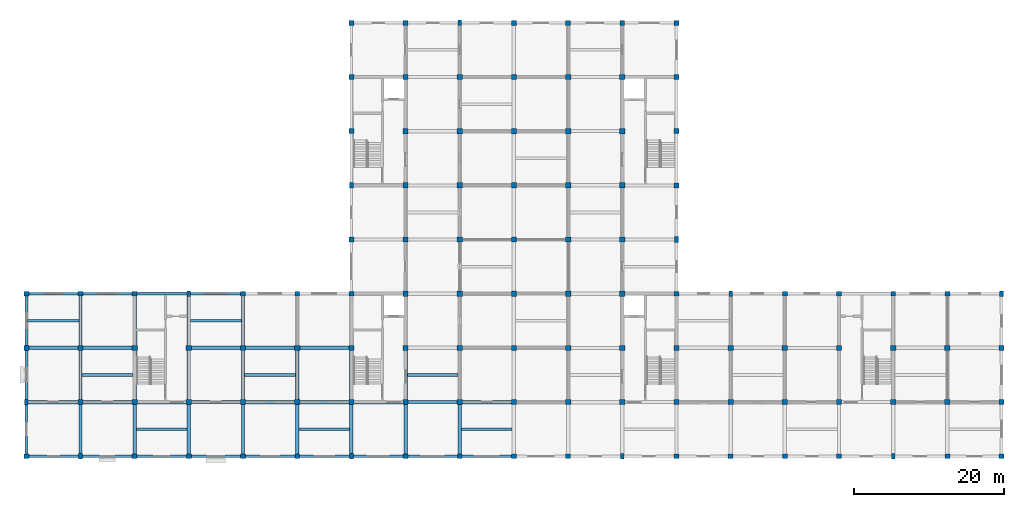
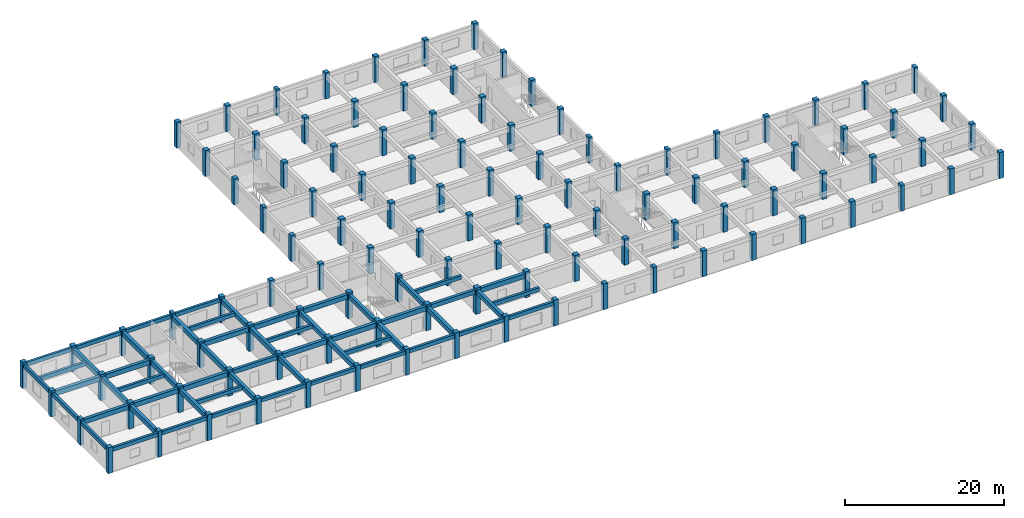
# One storey, part 1 of 11: 111 columns, 57 beams.
"""IFC4 building model written with IfcOpenShell, lengths in metres."""

from ifc_helpers import new_model, si_unit, direction, frame, origin, origin_2d, place, context, subcontext, project, spatial, rectangle, extrude, material, material_profile, profile_set, type_object, element, save


model = new_model("IFC4")

# Units and contexts
model_context = context("Model", 3, precision=1e-05, world=origin(), true_north=direction((0.0, 1.0)))
body_context = subcontext(model_context, "Body", "Model", "MODEL_VIEW")
ifc_project = project(units=[si_unit("LENGTHUNIT", "METRE"), si_unit("AREAUNIT", "SQUARE_METRE"), si_unit("VOLUMEUNIT", "CUBIC_METRE"), si_unit("PLANEANGLEUNIT", "RADIAN"), si_unit("MASSUNIT", "GRAM", prefix="KILO")], contexts=[model_context])

# Site, building, storey
site_placement = place(None, origin())
site = spatial("IfcSite", under=ifc_project, at=site_placement, CompositionType="ELEMENT")
building_placement = place(site_placement, origin())
building = spatial("IfcBuilding", under=site, at=building_placement, Name="Cendaluz Park School", CompositionType="ELEMENT")
storey_placement = place(building_placement, frame((0.0, 0.0, 26.60009765625)))
storey = spatial("IfcBuildingStorey", under=building, at=storey_placement, Name="L06", CompositionType="ELEMENT", Elevation=26.60009765625)

# Columns
ifc_material = material(Name="Concrete C40/50", Category="concrete")
ifc_material_profile_1 = material_profile(ifc_material, rectangle(XDim=0.5, YDim=0.75, at=origin_2d()), Name="RC 500x750", Category="concrete")
ifc_profile_set_1 = profile_set([ifc_material_profile_1], Name="Concrete C40/50")
column_type_1 = type_object("IfcColumnType", Name="C-PL01", PredefinedType="PILASTER", material=ifc_profile_set_1)
for number, where, z_axis, x_axis, name in (
    (1, (21.60009765625, 14.39990234375, 0.0), (0.0, 0.0, 1.0), (1.0, 0.0, 0.0), "C-L06-CPL01-002"),
    (2, (28.800048828125, 7.199951171875, 0.0), (0.0, 0.0, 1.0), (1.0, 0.0, 0.0), "C-L06-CPL01-005"),
    (3, (43.199951171875, 28.800048828125, 0.0), (0.0, 0.0, 1.0), (1.0, 0.0, 0.0), "C-L06-CPL01-016"),
    (4, (64.800048828125, 7.199951171875, 0.0), (0.0, 0.0, 1.0), (1.0, 0.0, 0.0), "C-L06-CPL01-025"),
    (5, (64.800048828125, 43.199951171875, 0.0), (0.0, 0.0, 1.0), (1.0, 0.0, 0.0), "C-L06-CPL01-030"),
    (6, (79.199951171875, 64.800048828125, 0.0), (0.0, 0.0, 1.0), (1.0, 0.0, 0.0), "C-L06-CPL01-051"),
    (7, (100.800048828125, 7.199951171875, 0.0), (0.0, 0.0, 1.0), (1.0, 0.0, 0.0), "C-L06-CPL01-070"),
    (8, (108.0, 36.0, 0.0), (0.0, 0.0, 1.0), (1.0, 0.0, 0.0), "C-L06-CPL01-083"),
    (9, (115.199951171875, 28.800048828125, 0.0), (0.0, 0.0, 1.0), (1.0, 0.0, 0.0), "C-L06-CPL01-091"),
    (10, (136.800048828125, 7.199951171875, 0.0), (0.0, 0.0, 1.0), (1.0, 0.0, 0.0), "C-L06-CPL01-100"),
    (11, (151.199951171875, 28.800048828125, 0.0), (0.0, 0.0, 1.0), (1.0, 0.0, 0.0), "C-L06-CPL01-111"),
):
    element("IfcColumn", number, at=place(storey_placement, frame(where, z_axis=z_axis, x_axis=x_axis)), inside=storey, type_object=column_type_1, Name=name, PredefinedType="PILASTER", context=body_context, shape_type="SweptSolid", body=[
        extrude(rectangle(XDim=0.5, YDim=0.75, at=origin_2d()), origin(), (0.0, 0.0, 1.0), 4.0),
    ])
ifc_material_profile_2 = material_profile(ifc_material, rectangle(XDim=0.699951171875, YDim=0.699951171875, at=origin_2d()), Name="RC 700x700", Category="concrete")
ifc_profile_set_2 = profile_set([ifc_material_profile_2], Name="Concrete C40/50")
column_type_2 = type_object("IfcColumnType", Name="C-RC04", PredefinedType="COLUMN", material=ifc_profile_set_2)
for number, where, z_axis, x_axis, name in (
    (12, (28.800048828125, 14.39990234375, 0.0), (0.0, 0.0, 1.0), (1.0, 0.0, 0.0), "C-L06-CRC04-006"),
    (13, (28.800048828125, 21.60009765625, 0.0), (0.0, 0.0, 1.0), (1.0, 0.0, 0.0), "C-L06-CRC04-007"),
    (14, (36.0, 14.39990234375, 0.0), (0.0, 0.0, 1.0), (1.0, 0.0, 0.0), "C-L06-CRC04-010"),
    (15, (36.0, 21.60009765625, 0.0), (0.0, 0.0, 1.0), (1.0, 0.0, 0.0), "C-L06-CRC04-011"),
    (16, (43.199951171875, 14.39990234375, 0.0), (0.0, 0.0, 1.0), (1.0, 0.0, 0.0), "C-L06-CRC04-014"),
    (17, (43.199951171875, 21.60009765625, 0.0), (0.0, 0.0, 1.0), (1.0, 0.0, 0.0), "C-L06-CRC04-015"),
    (18, (50.39990234375, 14.39990234375, 0.0), (0.0, 0.0, 1.0), (1.0, 0.0, 0.0), "C-L06-CRC04-018"),
    (19, (50.39990234375, 21.60009765625, 0.0), (0.0, 0.0, 1.0), (1.0, 0.0, 0.0), "C-L06-CRC04-019"),
    (20, (57.60009765625, 14.39990234375, 0.0), (0.0, 0.0, 1.0), (1.0, 0.0, 0.0), "C-L06-CRC04-022"),
    (21, (57.60009765625, 21.60009765625, 0.0), (0.0, 0.0, 1.0), (1.0, 0.0, 0.0), "C-L06-CRC04-023"),
    (22, (64.800048828125, 14.39990234375, 0.0), (0.0, 0.0, 1.0), (1.0, 0.0, 0.0), "C-L06-CRC04-026"),
    (23, (64.800048828125, 21.60009765625, 0.0), (0.0, 0.0, 1.0), (1.0, 0.0, 0.0), "C-L06-CRC04-027"),
    (24, (72.0, 14.39990234375, 0.0), (0.0, 0.0, 1.0), (1.0, 0.0, 0.0), "C-L06-CRC04-035"),
    (25, (72.0, 21.60009765625, 0.0), (0.0, 0.0, 1.0), (1.0, 0.0, 0.0), "C-L06-CRC04-036"),
    (26, (72.0, 28.800048828125, 0.0), (0.0, 0.0, 1.0), (1.0, 0.0, 0.0), "C-L06-CRC04-037"),
    (27, (72.0, 36.0, 0.0), (0.0, 0.0, 1.0), (1.0, 0.0, 0.0), "C-L06-CRC04-038"),
    (28, (72.0, 43.199951171875, 0.0), (0.0, 0.0, 1.0), (1.0, 0.0, 0.0), "C-L06-CRC04-039"),
    (29, (72.0, 50.39990234375, 0.0), (0.0, 0.0, 1.0), (1.0, 0.0, 0.0), "C-L06-CRC04-040"),
    (30, (72.0, 57.60009765625, 0.0), (0.0, 0.0, 1.0), (1.0, 0.0, 0.0), "C-L06-CRC04-041"),
    (31, (79.199951171875, 14.39990234375, 0.0), (0.0, 0.0, 1.0), (1.0, 0.0, 0.0), "C-L06-CRC04-044"),
    (32, (79.199951171875, 21.60009765625, 0.0), (0.0, 0.0, 1.0), (1.0, 0.0, 0.0), "C-L06-CRC04-045"),
    (33, (79.199951171875, 28.800048828125, 0.0), (0.0, 0.0, 1.0), (1.0, 0.0, 0.0), "C-L06-CRC04-046"),
    (34, (79.199951171875, 36.0, 0.0), (0.0, 0.0, 1.0), (1.0, 0.0, 0.0), "C-L06-CRC04-047"),
    (35, (79.199951171875, 43.199951171875, 0.0), (0.0, 0.0, 1.0), (1.0, 0.0, 0.0), "C-L06-CRC04-048"),
    (36, (79.199951171875, 50.39990234375, 0.0), (0.0, 0.0, 1.0), (1.0, 0.0, 0.0), "C-L06-CRC04-049"),
    (37, (79.199951171875, 57.60009765625, 0.0), (0.0, 0.0, 1.0), (1.0, 0.0, 0.0), "C-L06-CRC04-050"),
    (38, (86.39990234375, 14.39990234375, 0.0), (0.0, 0.0, 1.0), (1.0, 0.0, 0.0), "C-L06-CRC04-053"),
    (39, (86.39990234375, 21.60009765625, 0.0), (0.0, 0.0, 1.0), (1.0, 0.0, 0.0), "C-L06-CRC04-054"),
    (40, (86.39990234375, 28.800048828125, 0.0), (0.0, 0.0, 1.0), (1.0, 0.0, 0.0), "C-L06-CRC04-055"),
    (41, (86.39990234375, 36.0, 0.0), (0.0, 0.0, 1.0), (1.0, 0.0, 0.0), "C-L06-CRC04-056"),
    (42, (86.39990234375, 43.199951171875, 0.0), (0.0, 0.0, 1.0), (1.0, 0.0, 0.0), "C-L06-CRC04-057"),
    (43, (86.39990234375, 50.39990234375, 0.0), (0.0, 0.0, 1.0), (1.0, 0.0, 0.0), "C-L06-CRC04-058"),
    (44, (86.39990234375, 57.60009765625, 0.0), (0.0, 0.0, 1.0), (1.0, 0.0, 0.0), "C-L06-CRC04-059"),
    (45, (93.60009765625, 14.39990234375, 0.0), (0.0, 0.0, 1.0), (1.0, 0.0, 0.0), "C-L06-CRC04-062"),
    (46, (93.60009765625, 21.60009765625, 0.0), (0.0, 0.0, 1.0), (1.0, 0.0, 0.0), "C-L06-CRC04-063"),
    (47, (93.60009765625, 28.800048828125, 0.0), (0.0, 0.0, 1.0), (1.0, 0.0, 0.0), "C-L06-CRC04-064"),
    (48, (93.60009765625, 36.0, 0.0), (0.0, 0.0, 1.0), (1.0, 0.0, 0.0), "C-L06-CRC04-065"),
    (49, (93.60009765625, 43.199951171875, 0.0), (0.0, 0.0, 1.0), (1.0, 0.0, 0.0), "C-L06-CRC04-066"),
    (50, (93.60009765625, 50.39990234375, 0.0), (0.0, 0.0, 1.0), (1.0, 0.0, 0.0), "C-L06-CRC04-067"),
    (51, (93.60009765625, 57.60009765625, 0.0), (0.0, 0.0, 1.0), (1.0, 0.0, 0.0), "C-L06-CRC04-068"),
    (52, (100.800048828125, 14.39990234375, 0.0), (0.0, 0.0, 1.0), (1.0, 0.0, 0.0), "C-L06-CRC04-071"),
    (53, (100.800048828125, 21.60009765625, 0.0), (0.0, 0.0, 1.0), (1.0, 0.0, 0.0), "C-L06-CRC04-072"),
    (54, (100.800048828125, 28.800048828125, 0.0), (0.0, 0.0, 1.0), (1.0, 0.0, 0.0), "C-L06-CRC04-073"),
    (55, (100.800048828125, 36.0, 0.0), (0.0, 0.0, 1.0), (1.0, 0.0, 0.0), "C-L06-CRC04-074"),
    (56, (100.800048828125, 43.199951171875, 0.0), (0.0, 0.0, 1.0), (1.0, 0.0, 0.0), "C-L06-CRC04-075"),
    (57, (100.800048828125, 50.39990234375, 0.0), (0.0, 0.0, 1.0), (1.0, 0.0, 0.0), "C-L06-CRC04-076"),
    (58, (100.800048828125, 57.60009765625, 0.0), (0.0, 0.0, 1.0), (1.0, 0.0, 0.0), "C-L06-CRC04-077"),
    (59, (108.0, 14.39990234375, 0.0), (0.0, 0.0, 1.0), (1.0, 0.0, 0.0), "C-L06-CRC04-080"),
    (60, (108.0, 21.60009765625, 0.0), (0.0, 0.0, 1.0), (1.0, 0.0, 0.0), "C-L06-CRC04-081"),
    (61, (115.199951171875, 14.39990234375, 0.0), (0.0, 0.0, 1.0), (1.0, 0.0, 0.0), "C-L06-CRC04-089"),
    (62, (115.199951171875, 21.60009765625, 0.0), (0.0, 0.0, 1.0), (1.0, 0.0, 0.0), "C-L06-CRC04-090"),
    (63, (122.39990234375, 14.39990234375, 0.0), (0.0, 0.0, 1.0), (1.0, 0.0, 0.0), "C-L06-CRC04-093"),
    (64, (122.39990234375, 21.60009765625, 0.0), (0.0, 0.0, 1.0), (1.0, 0.0, 0.0), "C-L06-CRC04-094"),
    (65, (129.60009765625, 14.39990234375, 0.0), (0.0, 0.0, 1.0), (1.0, 0.0, 0.0), "C-L06-CRC04-097"),
    (66, (129.60009765625, 21.60009765625, 0.0), (0.0, 0.0, 1.0), (1.0, 0.0, 0.0), "C-L06-CRC04-098"),
    (67, (136.800048828125, 14.39990234375, 0.0), (0.0, 0.0, 1.0), (1.0, 0.0, 0.0), "C-L06-CRC04-101"),
    (68, (136.800048828125, 21.60009765625, 0.0), (0.0, 0.0, 1.0), (1.0, 0.0, 0.0), "C-L06-CRC04-102"),
    (69, (144.0, 14.39990234375, 0.0), (0.0, 0.0, 1.0), (1.0, 0.0, 0.0), "C-L06-CRC04-105"),
    (70, (144.0, 21.60009765625, 0.0), (0.0, 0.0, 1.0), (1.0, 0.0, 0.0), "C-L06-CRC04-106"),
):
    element("IfcColumn", number, at=place(storey_placement, frame(where, z_axis=z_axis, x_axis=x_axis)), inside=storey, type_object=column_type_2, Name=name, PredefinedType="COLUMN", context=body_context, shape_type="SweptSolid", body=[
        extrude(rectangle(XDim=0.699951171875, YDim=0.699951171875, at=origin_2d()), origin(), (0.0, 0.0, 1.0), 4.0),
    ])
ifc_material_profile_3 = material_profile(ifc_material, rectangle(XDim=0.64990234375, YDim=0.64990234375, at=origin_2d()), Name="RC 650x650", Category="concrete")
ifc_profile_set_3 = profile_set([ifc_material_profile_3], Name="Concrete C40/50")
column_type_3 = type_object("IfcColumnType", Name="C-RC05", PredefinedType="COLUMN", material=ifc_profile_set_3)
for number, where, z_axis, x_axis, name in (
    (71, (21.60009765625, 7.199951171875, 0.0), (0.0, 0.0, 1.0), (1.0, 0.0, 0.0), "C-L06-CRC05-001"),
    (72, (21.60009765625, 21.60009765625, 0.0), (0.0, 0.0, 1.0), (1.0, 0.0, 0.0), "C-L06-CRC05-003"),
    (73, (21.60009765625, 28.800048828125, 0.0), (0.0, 0.0, 1.0), (1.0, 0.0, 0.0), "C-L06-CRC05-004"),
    (74, (28.800048828125, 28.800048828125, 0.0), (0.0, 0.0, 1.0), (1.0, 0.0, 0.0), "C-L06-CRC05-008"),
    (75, (36.0, 7.199951171875, 0.0), (0.0, 0.0, 1.0), (1.0, 0.0, 0.0), "C-L06-CRC05-009"),
    (76, (36.0, 28.800048828125, 0.0), (0.0, 0.0, 1.0), (1.0, 0.0, 0.0), "C-L06-CRC05-012"),
    (77, (43.199951171875, 7.199951171875, 0.0), (0.0, 0.0, 1.0), (1.0, 0.0, 0.0), "C-L06-CRC05-013"),
    (78, (50.39990234375, 7.199951171875, 0.0), (0.0, 0.0, 1.0), (1.0, 0.0, 0.0), "C-L06-CRC05-017"),
    (79, (50.39990234375, 28.800048828125, 0.0), (0.0, 0.0, 1.0), (1.0, 0.0, 0.0), "C-L06-CRC05-020"),
    (80, (57.60009765625, 7.199951171875, 0.0), (0.0, 0.0, 1.0), (1.0, 0.0, 0.0), "C-L06-CRC05-021"),
    (81, (57.60009765625, 28.800048828125, 0.0), (0.0, 0.0, 1.0), (1.0, 0.0, 0.0), "C-L06-CRC05-024"),
    (82, (64.800048828125, 28.800048828125, 0.0), (0.0, 0.0, 1.0), (1.0, 0.0, 0.0), "C-L06-CRC05-028"),
    (83, (64.800048828125, 36.0, 0.0), (0.0, 0.0, 1.0), (1.0, 0.0, 0.0), "C-L06-CRC05-029"),
    (84, (64.800048828125, 50.39990234375, 0.0), (0.0, 0.0, 1.0), (1.0, 0.0, 0.0), "C-L06-CRC05-031"),
    (85, (64.800048828125, 57.60009765625, 0.0), (0.0, 0.0, 1.0), (1.0, 0.0, 0.0), "C-L06-CRC05-032"),
    (86, (64.800048828125, 64.800048828125, 0.0), (0.0, 0.0, 1.0), (1.0, 0.0, 0.0), "C-L06-CRC05-033"),
    (87, (72.0, 7.199951171875, 0.0), (0.0, 0.0, 1.0), (1.0, 0.0, 0.0), "C-L06-CRC05-034"),
    (88, (72.0, 64.800048828125, 0.0), (0.0, 0.0, 1.0), (1.0, 0.0, 0.0), "C-L06-CRC05-042"),
    (89, (79.199951171875, 7.199951171875, 0.0), (0.0, 0.0, 1.0), (1.0, 0.0, 0.0), "C-L06-CRC05-043"),
    (90, (86.39990234375, 7.199951171875, 0.0), (0.0, 0.0, 1.0), (1.0, 0.0, 0.0), "C-L06-CRC05-052"),
    (91, (86.39990234375, 64.800048828125, 0.0), (0.0, 0.0, 1.0), (1.0, 0.0, 0.0), "C-L06-CRC05-060"),
    (92, (93.60009765625, 7.199951171875, 0.0), (0.0, 0.0, 1.0), (1.0, 0.0, 0.0), "C-L06-CRC05-061"),
    (93, (93.60009765625, 64.800048828125, 0.0), (0.0, 0.0, 1.0), (1.0, 0.0, 0.0), "C-L06-CRC05-069"),
    (94, (100.800048828125, 64.800048828125, 0.0), (0.0, 0.0, 1.0), (1.0, 0.0, 0.0), "C-L06-CRC05-078"),
    (95, (108.0, 7.199951171875, 0.0), (0.0, 0.0, 1.0), (1.0, 0.0, 0.0), "C-L06-CRC05-079"),
    (96, (108.0, 28.800048828125, 0.0), (0.0, 0.0, 1.0), (1.0, 0.0, 0.0), "C-L06-CRC05-082"),
    (97, (108.0, 43.199951171875, 0.0), (0.0, 0.0, 1.0), (1.0, 0.0, 0.0), "C-L06-CRC05-084"),
    (98, (108.0, 50.39990234375, 0.0), (0.0, 0.0, 1.0), (1.0, 0.0, 0.0), "C-L06-CRC05-085"),
    (99, (108.0, 57.60009765625, 0.0), (0.0, 0.0, 1.0), (1.0, 0.0, 0.0), "C-L06-CRC05-086"),
    (100, (108.0, 64.800048828125, 0.0), (0.0, 0.0, 1.0), (1.0, 0.0, 0.0), "C-L06-CRC05-087"),
    (101, (115.199951171875, 7.199951171875, 0.0), (0.0, 0.0, 1.0), (1.0, 0.0, 0.0), "C-L06-CRC05-088"),
    (102, (122.39990234375, 7.199951171875, 0.0), (0.0, 0.0, 1.0), (1.0, 0.0, 0.0), "C-L06-CRC05-092"),
    (103, (122.39990234375, 28.800048828125, 0.0), (0.0, 0.0, 1.0), (1.0, 0.0, 0.0), "C-L06-CRC05-095"),
    (104, (129.60009765625, 7.199951171875, 0.0), (0.0, 0.0, 1.0), (1.0, 0.0, 0.0), "C-L06-CRC05-096"),
    (105, (129.60009765625, 28.800048828125, 0.0), (0.0, 0.0, 1.0), (1.0, 0.0, 0.0), "C-L06-CRC05-099"),
    (106, (136.800048828125, 28.800048828125, 0.0), (0.0, 0.0, 1.0), (1.0, 0.0, 0.0), "C-L06-CRC05-103"),
    (107, (144.0, 7.199951171875, 0.0), (0.0, 0.0, 1.0), (1.0, 0.0, 0.0), "C-L06-CRC05-104"),
    (108, (144.0, 28.800048828125, 0.0), (0.0, 0.0, 1.0), (1.0, 0.0, 0.0), "C-L06-CRC05-107"),
    (109, (151.199951171875, 7.199951171875, 0.0), (0.0, 0.0, 1.0), (1.0, 0.0, 0.0), "C-L06-CRC05-108"),
    (110, (151.199951171875, 14.39990234375, 0.0), (0.0, 0.0, 1.0), (1.0, 0.0, 0.0), "C-L06-CRC05-109"),
    (111, (151.199951171875, 21.60009765625, 0.0), (0.0, 0.0, 1.0), (1.0, 0.0, 0.0), "C-L06-CRC05-110"),
):
    element("IfcColumn", number, at=place(storey_placement, frame(where, z_axis=z_axis, x_axis=x_axis)), inside=storey, type_object=column_type_3, Name=name, PredefinedType="COLUMN", context=body_context, shape_type="SweptSolid", body=[
        extrude(rectangle(XDim=0.64990234375, YDim=0.64990234375, at=origin_2d()), origin(), (0.0, 0.0, 1.0), 4.0),
    ])

# Beams
ifc_material_profile_4 = material_profile(ifc_material, rectangle(XDim=0.449951171875, YDim=0.719970703125, at=origin_2d()), Name="RC 450x720", Category="concrete")
ifc_profile_set_4 = profile_set([ifc_material_profile_4], Name="Concrete C40/50")
beam_type_1 = type_object("IfcBeamType", Name="BM-RC02", PredefinedType="BEAM", material=ifc_profile_set_4)
beam_1_placement = place(storey_placement, frame((21.85009765625, 14.39990234375, 3.31982421875), z_axis=(1.0, 0.0, 0.0), x_axis=(0.0, 1.0, 0.0)))
element("IfcBeam", 112, at=beam_1_placement, inside=storey, type_object=beam_type_1, Name="BM-L06-BMRC02-0002", PredefinedType="BEAM", context=body_context, shape_type="SweptSolid", body=[
    extrude(rectangle(XDim=0.449951171875, YDim=0.719970703125, at=origin_2d()), origin(), (0.0, 0.0, 1.0), 6.599853515625),
])
beam_2_placement = place(storey_placement, frame((21.925048828125, 21.60009765625, 3.31982421875), z_axis=(1.0, 0.0, 0.0), x_axis=(0.0, 1.0, 0.0)))
element("IfcBeam", 113, at=beam_2_placement, inside=storey, type_object=beam_type_1, Name="BM-L06-BMRC02-0003", PredefinedType="BEAM", context=body_context, shape_type="SweptSolid", body=[
    extrude(rectangle(XDim=0.449951171875, YDim=0.719970703125, at=origin_2d()), origin(), (0.0, 0.0, 1.0), 6.52490234375),
])
for number, where, z_axis, x_axis, name in (
    (114, (29.14990234375, 14.39990234375, 3.31982421875), (1.0, 0.0, 0.0), (0.0, 1.0, 0.0), "BM-L06-BMRC02-0006"),
    (115, (29.14990234375, 21.60009765625, 3.31982421875), (1.0, 0.0, 0.0), (0.0, 1.0, 0.0), "BM-L06-BMRC02-0007"),
    (116, (36.35009765625, 14.39990234375, 3.31982421875), (1.0, 0.0, 0.0), (0.0, 1.0, 0.0), "BM-L06-BMRC02-0010"),
    (117, (43.550048828125, 21.60009765625, 3.31982421875), (1.0, 0.0, 0.0), (0.0, 1.0, 0.0), "BM-L06-BMRC02-0014"),
    (118, (50.75, 14.39990234375, 3.31982421875), (1.0, 0.0, 0.0), (0.0, 1.0, 0.0), "BM-L06-BMRC02-0017"),
    (119, (50.75, 21.60009765625, 3.31982421875), (1.0, 0.0, 0.0), (0.0, 1.0, 0.0), "BM-L06-BMRC02-0018"),
    (120, (57.949951171875, 14.39990234375, 3.31982421875), (1.0, 0.0, 0.0), (0.0, 1.0, 0.0), "BM-L06-BMRC02-0021"),
    (121, (57.949951171875, 21.60009765625, 3.31982421875), (1.0, 0.0, 0.0), (0.0, 1.0, 0.0), "BM-L06-BMRC02-0022"),
    (122, (65.14990234375, 14.39990234375, 3.31982421875), (1.0, 0.0, 0.0), (0.0, 1.0, 0.0), "BM-L06-BMRC02-0025"),
    (123, (79.550048828125, 14.39990234375, 3.31982421875), (1.0, 0.0, 0.0), (0.0, 1.0, 0.0), "BM-L06-BMRC02-0041"),
):
    element("IfcBeam", number, at=place(storey_placement, frame(where, z_axis=z_axis, x_axis=x_axis)), inside=storey, type_object=beam_type_1, Name=name, PredefinedType="BEAM", context=body_context, shape_type="SweptSolid", body=[
        extrude(rectangle(XDim=0.449951171875, YDim=0.719970703125, at=origin_2d()), origin(), (0.0, 0.0, 1.0), 6.5),
    ])
beam_3_placement = place(storey_placement, frame((28.800048828125, 7.574951171875, 3.31982421875), z_axis=(0.0, 1.0, 0.0), x_axis=(-1.0, 0.0, 0.0)))
element("IfcBeam", 124, at=beam_3_placement, inside=storey, type_object=beam_type_1, Name="BM-L06-BMRC02-0100", PredefinedType="BEAM", context=body_context, shape_type="SweptSolid", body=[
    extrude(rectangle(XDim=0.449951171875, YDim=0.719970703125, at=origin_2d()), origin(), (0.0, 0.0, 1.0), 6.47509765625),
])
beam_4_placement = place(storey_placement, frame((28.800048828125, 14.75, 3.31982421875), z_axis=(0.0, 1.0, 0.0), x_axis=(-1.0, 0.0, 0.0)))
element("IfcBeam", 125, at=beam_4_placement, inside=storey, type_object=beam_type_1, Name="BM-L06-BMRC02-0101", PredefinedType="BEAM", context=body_context, shape_type="SweptSolid", body=[
    extrude(rectangle(XDim=0.449951171875, YDim=0.719970703125, at=origin_2d()), origin(), (0.0, 0.0, 1.0), 6.5),
])
for number, where, z_axis, x_axis, name in (
    (126, (28.800048828125, 21.949951171875, 3.31982421875), (0.0, 1.0, 0.0), (-1.0, 0.0, 0.0), "BM-L06-BMRC02-0102"),
    (127, (36.0, 7.52490234375, 3.31982421875), (0.0, 1.0, 0.0), (-1.0, 0.0, 0.0), "BM-L06-BMRC02-0103"),
):
    element("IfcBeam", number, at=place(storey_placement, frame(where, z_axis=z_axis, x_axis=x_axis)), inside=storey, type_object=beam_type_1, Name=name, PredefinedType="BEAM", context=body_context, shape_type="SweptSolid", body=[
        extrude(rectangle(XDim=0.449951171875, YDim=0.719970703125, at=origin_2d()), origin(), (0.0, 0.0, 1.0), 6.525146484375),
    ])
beam_5_placement = place(storey_placement, frame((36.0, 14.75, 3.31982421875), z_axis=(0.0, 1.0, 0.0), x_axis=(-1.0, 0.0, 0.0)))
element("IfcBeam", 128, at=beam_5_placement, inside=storey, type_object=beam_type_1, Name="BM-L06-BMRC02-0104", PredefinedType="BEAM", context=body_context, shape_type="SweptSolid", body=[
    extrude(rectangle(XDim=0.449951171875, YDim=0.719970703125, at=origin_2d()), origin(), (0.0, 0.0, 1.0), 6.5),
])
for number, where, z_axis, x_axis, name in (
    (129, (36.0, 21.949951171875, 3.31982421875), (0.0, 1.0, 0.0), (-1.0, 0.0, 0.0), "BM-L06-BMRC02-0105"),
    (130, (43.199951171875, 7.52490234375, 3.31982421875), (0.0, 1.0, 0.0), (-1.0, 0.0, 0.0), "BM-L06-BMRC02-0106"),
):
    element("IfcBeam", number, at=place(storey_placement, frame(where, z_axis=z_axis, x_axis=x_axis)), inside=storey, type_object=beam_type_1, Name=name, PredefinedType="BEAM", context=body_context, shape_type="SweptSolid", body=[
        extrude(rectangle(XDim=0.449951171875, YDim=0.719970703125, at=origin_2d()), origin(), (0.0, 0.0, 1.0), 6.525146484375),
    ])
beam_6_placement = place(storey_placement, frame((43.199951171875, 14.75, 3.31982421875), z_axis=(0.0, 1.0, 0.0), x_axis=(-1.0, 0.0, 0.0)))
element("IfcBeam", 131, at=beam_6_placement, inside=storey, type_object=beam_type_1, Name="BM-L06-BMRC02-0107", PredefinedType="BEAM", context=body_context, shape_type="SweptSolid", body=[
    extrude(rectangle(XDim=0.449951171875, YDim=0.719970703125, at=origin_2d()), origin(), (0.0, 0.0, 1.0), 6.5),
])
beam_7_placement = place(storey_placement, frame((43.199951171875, 21.949951171875, 3.31982421875), z_axis=(0.0, 1.0, 0.0), x_axis=(-1.0, 0.0, 0.0)))
element("IfcBeam", 132, at=beam_7_placement, inside=storey, type_object=beam_type_1, Name="BM-L06-BMRC02-0108", PredefinedType="BEAM", context=body_context, shape_type="SweptSolid", body=[
    extrude(rectangle(XDim=0.449951171875, YDim=0.719970703125, at=origin_2d()), origin(), (0.0, 0.0, 1.0), 6.47509765625),
])
beam_8_placement = place(storey_placement, frame((50.39990234375, 7.52490234375, 3.31982421875), z_axis=(0.0, 1.0, 0.0), x_axis=(-1.0, 0.0, 0.0)))
element("IfcBeam", 133, at=beam_8_placement, inside=storey, type_object=beam_type_1, Name="BM-L06-BMRC02-0109", PredefinedType="BEAM", context=body_context, shape_type="SweptSolid", body=[
    extrude(rectangle(XDim=0.449951171875, YDim=0.719970703125, at=origin_2d()), origin(), (0.0, 0.0, 1.0), 6.525146484375),
])
beam_9_placement = place(storey_placement, frame((50.39990234375, 14.75, 3.31982421875), z_axis=(0.0, 1.0, 0.0), x_axis=(-1.0, 0.0, 0.0)))
element("IfcBeam", 134, at=beam_9_placement, inside=storey, type_object=beam_type_1, Name="BM-L06-BMRC02-0110", PredefinedType="BEAM", context=body_context, shape_type="SweptSolid", body=[
    extrude(rectangle(XDim=0.449951171875, YDim=0.719970703125, at=origin_2d()), origin(), (0.0, 0.0, 1.0), 6.5),
])
for number, where, z_axis, x_axis, name in (
    (135, (50.39990234375, 21.949951171875, 3.31982421875), (0.0, 1.0, 0.0), (-1.0, 0.0, 0.0), "BM-L06-BMRC02-0111"),
    (136, (57.60009765625, 7.52490234375, 3.31982421875), (0.0, 1.0, 0.0), (-1.0, 0.0, 0.0), "BM-L06-BMRC02-0112"),
):
    element("IfcBeam", number, at=place(storey_placement, frame(where, z_axis=z_axis, x_axis=x_axis)), inside=storey, type_object=beam_type_1, Name=name, PredefinedType="BEAM", context=body_context, shape_type="SweptSolid", body=[
        extrude(rectangle(XDim=0.449951171875, YDim=0.719970703125, at=origin_2d()), origin(), (0.0, 0.0, 1.0), 6.525146484375),
    ])
beam_10_placement = place(storey_placement, frame((57.60009765625, 14.75, 3.31982421875), z_axis=(0.0, 1.0, 0.0), x_axis=(-1.0, 0.0, 0.0)))
element("IfcBeam", 137, at=beam_10_placement, inside=storey, type_object=beam_type_1, Name="BM-L06-BMRC02-0113", PredefinedType="BEAM", context=body_context, shape_type="SweptSolid", body=[
    extrude(rectangle(XDim=0.449951171875, YDim=0.719970703125, at=origin_2d()), origin(), (0.0, 0.0, 1.0), 6.5),
])
beam_11_placement = place(storey_placement, frame((64.800048828125, 7.574951171875, 3.31982421875), z_axis=(0.0, 1.0, 0.0), x_axis=(-1.0, 0.0, 0.0)))
element("IfcBeam", 138, at=beam_11_placement, inside=storey, type_object=beam_type_1, Name="BM-L06-BMRC02-0115", PredefinedType="BEAM", context=body_context, shape_type="SweptSolid", body=[
    extrude(rectangle(XDim=0.449951171875, YDim=0.719970703125, at=origin_2d()), origin(), (0.0, 0.0, 1.0), 6.47509765625),
])
beam_12_placement = place(storey_placement, frame((64.800048828125, 14.75, 3.31982421875), z_axis=(0.0, 1.0, 0.0), x_axis=(-1.0, 0.0, 0.0)))
element("IfcBeam", 139, at=beam_12_placement, inside=storey, type_object=beam_type_1, Name="BM-L06-BMRC02-0116", PredefinedType="BEAM", context=body_context, shape_type="SweptSolid", body=[
    extrude(rectangle(XDim=0.449951171875, YDim=0.719970703125, at=origin_2d()), origin(), (0.0, 0.0, 1.0), 6.5),
])
beam_13_placement = place(storey_placement, frame((72.0, 7.52490234375, 3.31982421875), z_axis=(0.0, 1.0, 0.0), x_axis=(-1.0, 0.0, 0.0)))
element("IfcBeam", 140, at=beam_13_placement, inside=storey, type_object=beam_type_1, Name="BM-L06-BMRC02-0123", PredefinedType="BEAM", context=body_context, shape_type="SweptSolid", body=[
    extrude(rectangle(XDim=0.449951171875, YDim=0.719970703125, at=origin_2d()), origin(), (0.0, 0.0, 1.0), 6.525146484375),
])
beam_14_placement = place(storey_placement, frame((72.0, 14.75, 3.31982421875), z_axis=(0.0, 1.0, 0.0), x_axis=(-1.0, 0.0, 0.0)))
element("IfcBeam", 141, at=beam_14_placement, inside=storey, type_object=beam_type_1, Name="BM-L06-BMRC02-0124", PredefinedType="BEAM", context=body_context, shape_type="SweptSolid", body=[
    extrude(rectangle(XDim=0.449951171875, YDim=0.719970703125, at=origin_2d()), origin(), (0.0, 0.0, 1.0), 6.5),
])
beam_15_placement = place(storey_placement, frame((79.199951171875, 7.52490234375, 3.31982421875), z_axis=(0.0, 1.0, 0.0), x_axis=(-1.0, 0.0, 0.0)))
element("IfcBeam", 142, at=beam_15_placement, inside=storey, type_object=beam_type_1, Name="BM-L06-BMRC02-0131", PredefinedType="BEAM", context=body_context, shape_type="SweptSolid", body=[
    extrude(rectangle(XDim=0.449951171875, YDim=0.719970703125, at=origin_2d()), origin(), (0.0, 0.0, 1.0), 6.525146484375),
])
ifc_material_profile_5 = material_profile(ifc_material, rectangle(XDim=0.39990234375, YDim=0.64990234375, at=origin_2d()), Name="RC 400x650", Category="concrete")
ifc_profile_set_5 = profile_set([ifc_material_profile_5], Name="Concrete C40/50")
beam_type_2 = type_object("IfcBeamType", Name="BM-RC03", PredefinedType="T_BEAM", material=ifc_profile_set_5)
for number, where, z_axis, x_axis, name in (
    (143, (43.550048828125, 14.39990234375, 3.35498046875), (1.0, 0.0, 0.0), (0.0, 1.0, 0.0), "BM-L06-BMRC03-0013"),
    (144, (72.35009765625, 14.39990234375, 3.35498046875), (1.0, 0.0, 0.0), (0.0, 1.0, 0.0), "BM-L06-BMRC03-0032"),
):
    element("IfcBeam", number, at=place(storey_placement, frame(where, z_axis=z_axis, x_axis=x_axis)), inside=storey, type_object=beam_type_2, Name=name, PredefinedType="T_BEAM", context=body_context, shape_type="SweptSolid", body=[
        extrude(rectangle(XDim=0.39990234375, YDim=0.64990234375, at=origin_2d()), origin(), (0.0, 0.0, 1.0), 6.5),
    ])
ifc_material_profile_6 = material_profile(ifc_material, rectangle(XDim=0.35009765625, YDim=0.580078125, at=origin_2d()), Name="RC 350x580", Category="concrete")
ifc_profile_set_6 = profile_set([ifc_material_profile_6], Name="Concrete C40/50")
beam_type_3 = type_object("IfcBeamType", Name="BM-RC04", PredefinedType="LINTEL", material=ifc_profile_set_6)
beam_16_placement = place(storey_placement, frame((21.925048828125, 7.199951171875, 3.389892578125), z_axis=(1.0, 0.0, 0.0), x_axis=(0.0, 1.0, 0.0)))
element("IfcBeam", 145, at=beam_16_placement, inside=storey, type_object=beam_type_3, Name="BM-L06-BMRC04-0001", PredefinedType="LINTEL", context=body_context, shape_type="SweptSolid", body=[
    extrude(rectangle(XDim=0.35009765625, YDim=0.580078125, at=origin_2d()), origin(), (0.0, 0.0, 1.0), 6.625),
])
beam_17_placement = place(storey_placement, frame((21.925048828125, 28.800048828125, 3.389892578125), z_axis=(1.0, 0.0, 0.0), x_axis=(0.0, 1.0, 0.0)))
element("IfcBeam", 146, at=beam_17_placement, inside=storey, type_object=beam_type_3, Name="BM-L06-BMRC04-0004", PredefinedType="LINTEL", context=body_context, shape_type="SweptSolid", body=[
    extrude(rectangle(XDim=0.35009765625, YDim=0.580078125, at=origin_2d()), origin(), (0.0, 0.0, 1.0), 6.550048828125),
])
beam_18_placement = place(storey_placement, frame((29.050048828125, 7.199951171875, 3.389892578125), z_axis=(1.0, 0.0, 0.0), x_axis=(0.0, 1.0, 0.0)))
element("IfcBeam", 147, at=beam_18_placement, inside=storey, type_object=beam_type_3, Name="BM-L06-BMRC04-0005", PredefinedType="LINTEL", context=body_context, shape_type="SweptSolid", body=[
    extrude(rectangle(XDim=0.35009765625, YDim=0.580078125, at=origin_2d()), origin(), (0.0, 0.0, 1.0), 6.625),
])
for number, where, z_axis, x_axis, name in (
    (148, (29.125, 28.800048828125, 3.389892578125), (1.0, 0.0, 0.0), (0.0, 1.0, 0.0), "BM-L06-BMRC04-0008"),
    (149, (36.324951171875, 7.199951171875, 3.389892578125), (1.0, 0.0, 0.0), (0.0, 1.0, 0.0), "BM-L06-BMRC04-0009"),
):
    element("IfcBeam", number, at=place(storey_placement, frame(where, z_axis=z_axis, x_axis=x_axis)), inside=storey, type_object=beam_type_3, Name=name, PredefinedType="LINTEL", context=body_context, shape_type="SweptSolid", body=[
        extrude(rectangle(XDim=0.35009765625, YDim=0.580078125, at=origin_2d()), origin(), (0.0, 0.0, 1.0), 6.550048828125),
    ])
beam_19_placement = place(storey_placement, frame((36.324951171875, 28.800048828125, 3.389892578125), z_axis=(1.0, 0.0, 0.0), x_axis=(0.0, 1.0, 0.0)))
element("IfcBeam", 150, at=beam_19_placement, inside=storey, type_object=beam_type_3, Name="BM-L06-BMRC04-0011", PredefinedType="LINTEL", context=body_context, shape_type="SweptSolid", body=[
    extrude(rectangle(XDim=0.35009765625, YDim=0.580078125, at=origin_2d()), origin(), (0.0, 0.0, 1.0), 6.625),
])
beam_20_placement = place(storey_placement, frame((43.52490234375, 7.199951171875, 3.389892578125), z_axis=(1.0, 0.0, 0.0), x_axis=(0.0, 1.0, 0.0)))
element("IfcBeam", 151, at=beam_20_placement, inside=storey, type_object=beam_type_3, Name="BM-L06-BMRC04-0012", PredefinedType="LINTEL", context=body_context, shape_type="SweptSolid", body=[
    extrude(rectangle(XDim=0.35009765625, YDim=0.580078125, at=origin_2d()), origin(), (0.0, 0.0, 1.0), 6.550048828125),
])
beam_21_placement = place(storey_placement, frame((43.449951171875, 28.800048828125, 3.389892578125), z_axis=(1.0, 0.0, 0.0), x_axis=(0.0, 1.0, 0.0)))
element("IfcBeam", 152, at=beam_21_placement, inside=storey, type_object=beam_type_3, Name="BM-L06-BMRC04-0015", PredefinedType="LINTEL", context=body_context, shape_type="SweptSolid", body=[
    extrude(rectangle(XDim=0.35009765625, YDim=0.580078125, at=origin_2d()), origin(), (0.0, 0.0, 1.0), 6.625),
])
beam_22_placement = place(storey_placement, frame((50.72509765625, 7.199951171875, 3.389892578125), z_axis=(1.0, 0.0, 0.0), x_axis=(0.0, 1.0, 0.0)))
element("IfcBeam", 153, at=beam_22_placement, inside=storey, type_object=beam_type_3, Name="BM-L06-BMRC04-0016", PredefinedType="LINTEL", context=body_context, shape_type="SweptSolid", body=[
    extrude(rectangle(XDim=0.35009765625, YDim=0.580078125, at=origin_2d()), origin(), (0.0, 0.0, 1.0), 6.5498046875),
])
for number, where, z_axis, x_axis, name in (
    (154, (57.925048828125, 7.199951171875, 3.389892578125), (1.0, 0.0, 0.0), (0.0, 1.0, 0.0), "BM-L06-BMRC04-0020"),
    (155, (65.050048828125, 7.199951171875, 3.389892578125), (1.0, 0.0, 0.0), (0.0, 1.0, 0.0), "BM-L06-BMRC04-0024"),
):
    element("IfcBeam", number, at=place(storey_placement, frame(where, z_axis=z_axis, x_axis=x_axis)), inside=storey, type_object=beam_type_3, Name=name, PredefinedType="LINTEL", context=body_context, shape_type="SweptSolid", body=[
        extrude(rectangle(XDim=0.35009765625, YDim=0.580078125, at=origin_2d()), origin(), (0.0, 0.0, 1.0), 6.625),
    ])
for number, where, z_axis, x_axis, name in (
    (156, (72.324951171875, 7.199951171875, 3.389892578125), (1.0, 0.0, 0.0), (0.0, 1.0, 0.0), "BM-L06-BMRC04-0031"),
    (157, (79.52490234375, 7.199951171875, 3.389892578125), (1.0, 0.0, 0.0), (0.0, 1.0, 0.0), "BM-L06-BMRC04-0040"),
):
    element("IfcBeam", number, at=place(storey_placement, frame(where, z_axis=z_axis, x_axis=x_axis)), inside=storey, type_object=beam_type_3, Name=name, PredefinedType="LINTEL", context=body_context, shape_type="SweptSolid", body=[
        extrude(rectangle(XDim=0.35009765625, YDim=0.580078125, at=origin_2d()), origin(), (0.0, 0.0, 1.0), 6.550048828125),
    ])
for number, where, z_axis, x_axis, name in (
    (158, (21.60009765625, 7.52490234375, 3.389892578125), (0.0, 1.0, 0.0), (-1.0, 0.0, 0.0), "BM-L06-BMRC04-0097"),
    (159, (21.60009765625, 14.77490234375, 3.389892578125), (0.0, 1.0, 0.0), (-1.0, 0.0, 0.0), "BM-L06-BMRC04-0098"),
):
    element("IfcBeam", number, at=place(storey_placement, frame(where, z_axis=z_axis, x_axis=x_axis)), inside=storey, type_object=beam_type_3, Name=name, PredefinedType="LINTEL", context=body_context, shape_type="SweptSolid", body=[
        extrude(rectangle(XDim=0.35009765625, YDim=0.580078125, at=origin_2d()), origin(), (0.0, 0.0, 1.0), 6.5),
    ])
beam_23_placement = place(storey_placement, frame((21.60009765625, 21.925048828125, 3.389892578125), z_axis=(0.0, 1.0, 0.0), x_axis=(-1.0, 0.0, 0.0)))
element("IfcBeam", 160, at=beam_23_placement, inside=storey, type_object=beam_type_3, Name="BM-L06-BMRC04-0099", PredefinedType="LINTEL", context=body_context, shape_type="SweptSolid", body=[
    extrude(rectangle(XDim=0.35009765625, YDim=0.580078125, at=origin_2d()), origin(), (0.0, 0.0, 1.0), 6.550048828125),
])
ifc_material_profile_7 = material_profile(ifc_material, rectangle(XDim=0.35009765625, YDim=0.580078125, at=origin_2d()), Name="RC 350x580", Category="concrete")
ifc_profile_set_7 = profile_set([ifc_material_profile_7], Name="Concrete C40/50")
beam_type_4 = type_object("IfcBeamType", Name="JT-RC01", PredefinedType="JOIST", material=ifc_profile_set_7)
beam_24_placement = place(storey_placement, frame((21.77490234375, 25.199951171875, 3.389892578125), z_axis=(1.0, 0.0, 0.0), x_axis=(0.0, 1.0, 0.0)))
element("IfcBeam", 161, at=beam_24_placement, inside=storey, type_object=beam_type_4, Name="BM-L06-JTRC01-0189", PredefinedType="JOIST", context=body_context, shape_type="SweptSolid", body=[
    extrude(rectangle(XDim=0.35009765625, YDim=0.580078125, at=origin_2d()), origin(), (0.0, 0.0, 1.0), 6.800048828125),
])
for number, where, z_axis, x_axis, name in (
    (162, (29.02490234375, 18.0, 3.389892578125), (1.0, 0.0, 0.0), (0.0, 1.0, 0.0), "BM-L06-JTRC01-0190"),
    (163, (36.22509765625, 10.800048828125, 3.389892578125), (1.0, 0.0, 0.0), (0.0, 1.0, 0.0), "BM-L06-JTRC01-0191"),
    (164, (43.425048828125, 25.199951171875, 3.389892578125), (1.0, 0.0, 0.0), (0.0, 1.0, 0.0), "BM-L06-JTRC01-0192"),
    (165, (50.625, 18.0, 3.389892578125), (1.0, 0.0, 0.0), (0.0, 1.0, 0.0), "BM-L06-JTRC01-0193"),
    (166, (57.824951171875, 10.800048828125, 3.389892578125), (1.0, 0.0, 0.0), (0.0, 1.0, 0.0), "BM-L06-JTRC01-0194"),
    (167, (72.22509765625, 18.0, 3.389892578125), (1.0, 0.0, 0.0), (0.0, 1.0, 0.0), "BM-L06-JTRC01-0195"),
    (168, (79.425048828125, 10.800048828125, 3.389892578125), (1.0, 0.0, 0.0), (0.0, 1.0, 0.0), "BM-L06-JTRC01-0198"),
):
    element("IfcBeam", number, at=place(storey_placement, frame(where, z_axis=z_axis, x_axis=x_axis)), inside=storey, type_object=beam_type_4, Name=name, PredefinedType="JOIST", context=body_context, shape_type="SweptSolid", body=[
        extrude(rectangle(XDim=0.35009765625, YDim=0.580078125, at=origin_2d()), origin(), (0.0, 0.0, 1.0), 6.75),
    ])

save(model, "model.ifc")
